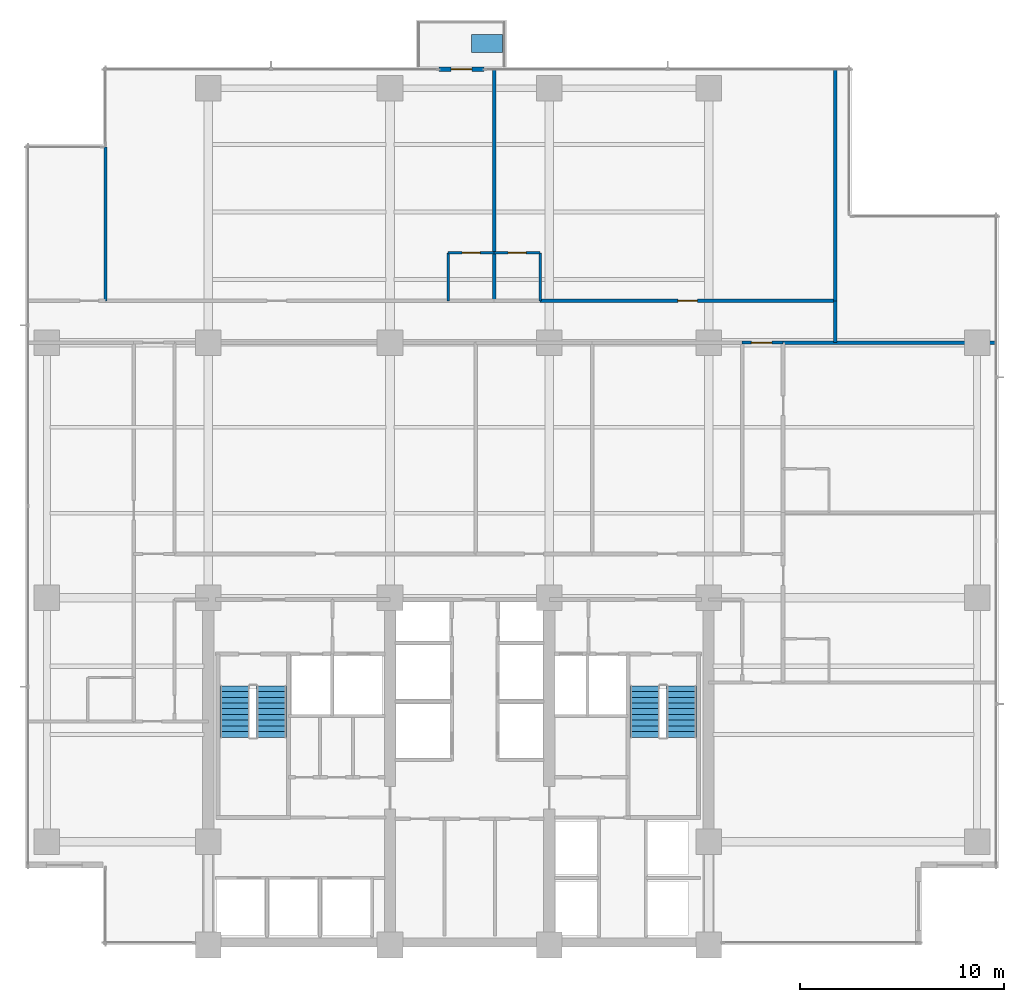
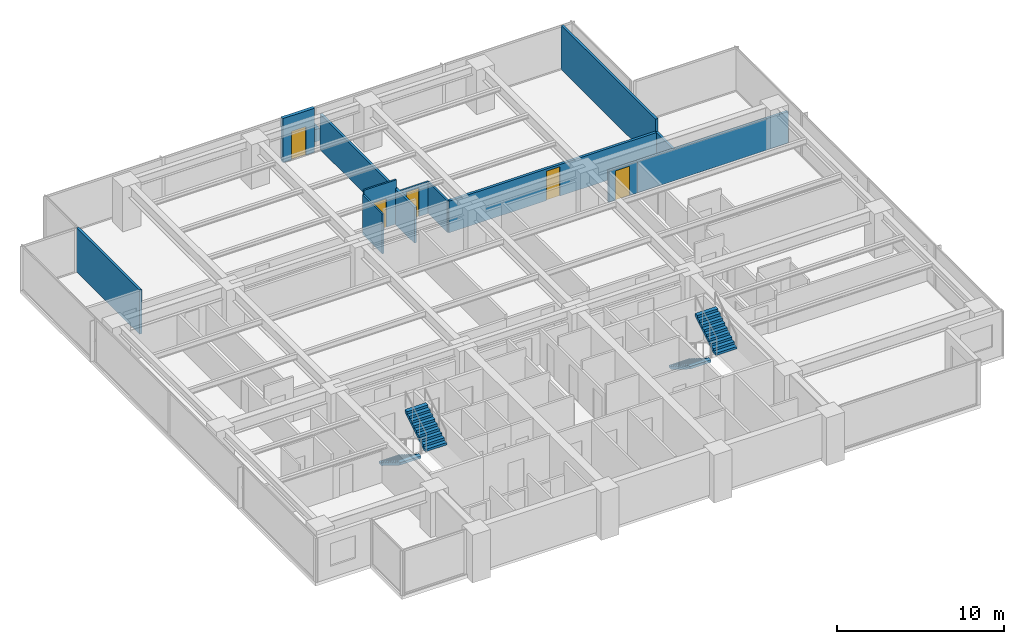
# One storey, part 11 of 16: 12 walls, 5 doors, 4 stair flights, 1 discrete accessory, 5 openings, 2 elements without a shape of their own.
"""IFC4 building model written with IfcOpenShell, lengths in metres."""

import ifcopenshell
import ifcopenshell.guid

model = None  # the IFC model being written
_history = None  # IfcOwnerHistory: only IFC2X3 demands one
_inside = {}  # id of a spatial element -> (the spatial element, [elements in it])
_under = {}  # id of a project, library or spatial element -> (it, [spatial elements below it])
_declared = {}  # id of a project -> (the project, [libraries it declares])
_typed = {}  # id of a type object -> (the type object, [elements of that type])
_made_of = {}  # id of a material, layer set ... -> (it, [elements and type objects made of it])


def new_model(schema):
    """Start an empty IFC model of exactly this schema.

    Asked for "IFC4X3", IfcOpenShell would pick the latest addendum, in which some entities
    have other attributes; the version numbers below select the first issue.
    IFC2X3 requires an IfcOwnerHistory on every rooted entity: one is made here for all.
    """
    global model, _history
    if schema == "IFC4X3":
        model = ifcopenshell.file(schema_version=(4, 3, 0, 0))
    else:
        model = ifcopenshell.file(schema=schema)
    _inside.clear()
    _under.clear()
    _declared.clear()
    _typed.clear()
    _made_of.clear()
    _history = None
    if model.schema == "IFC2X3":
        org = make("IfcOrganization", Name="unknown")
        user = make(
            "IfcPersonAndOrganization",
            ThePerson=make("IfcPerson", FamilyName="unknown"),
            TheOrganization=org,
        )
        app = make(
            "IfcApplication",
            ApplicationDeveloper=org,
            Version="unknown",
            ApplicationFullName="unknown",
            ApplicationIdentifier="unknown",
        )
        _history = make(
            "IfcOwnerHistory",
            OwningUser=user,
            OwningApplication=app,
            ChangeAction="ADDED",
            CreationDate=0,
        )
    return model


def make(cls, **values):
    """One entity of the class cls with the attributes given. An attribute that is None is left unset."""
    return model.create_entity(
        cls, **{name: value for name, value in values.items() if value is not None}
    )


def rooted(cls, **values):
    """An entity with a GlobalId (a new one), such as an element, a storey or a relation."""
    return make(cls, GlobalId=ifcopenshell.guid.new(), OwnerHistory=_history, **values)


def si_unit(unit_type, name, prefix=None):
    """IfcSIUnit, for example si_unit("LENGTHUNIT", "METRE", prefix="MILLI")."""
    return make("IfcSIUnit", UnitType=unit_type, Prefix=prefix, Name=name)


def assignment(units):
    """IfcUnitAssignment: the units of a project."""
    return None if units is None else make("IfcUnitAssignment", Units=units)


def point(xyz):
    """IfcCartesianPoint."""
    return None if xyz is None else make("IfcCartesianPoint", Coordinates=xyz)


def direction(xyz):
    """IfcDirection."""
    return None if xyz is None else make("IfcDirection", DirectionRatios=xyz)


def frame(location, z_axis=None, x_axis=None):
    """IfcAxis2Placement3D, a coordinate frame: its origin and axes. An axis left out is left unset."""
    return make(
        "IfcAxis2Placement3D",
        Location=point(location),
        Axis=direction(z_axis),
        RefDirection=direction(x_axis),
    )


def frame_2d(location, x_axis=None):
    """IfcAxis2Placement2D, a coordinate frame in the plane: its origin and x axis."""
    return make(
        "IfcAxis2Placement2D", Location=point(location), RefDirection=direction(x_axis)
    )


def origin():
    """The frame at (0, 0, 0) with its axes left unset."""
    return frame((0.0, 0.0, 0.0))


def place(relative_to, where):
    """IfcLocalPlacement: puts the frame where relative to a parent placement (None: the world)."""
    return make(
        "IfcLocalPlacement", PlacementRelTo=relative_to, RelativePlacement=where
    )


def context(
    kind, dimensions, precision=None, world=None, true_north=None, identifier=None
):
    """IfcGeometricRepresentationContext, for example the 3D "Model" context."""
    return make(
        "IfcGeometricRepresentationContext",
        ContextIdentifier=identifier,
        ContextType=kind,
        CoordinateSpaceDimension=dimensions,
        Precision=precision,
        WorldCoordinateSystem=world,
        TrueNorth=true_north,
    )


def subcontext(parent, identifier, kind, view, scale=None):
    """IfcGeometricRepresentationSubContext, for example "Body" below "Model"."""
    return make(
        "IfcGeometricRepresentationSubContext",
        ContextIdentifier=identifier,
        ContextType=kind,
        ParentContext=parent,
        TargetScale=scale,
        TargetView=view,
    )


def project(units=None, contexts=None):
    """IfcProject with its units and contexts."""
    return rooted(
        "IfcProject",
        Name="project",
        RepresentationContexts=contexts,
        UnitsInContext=assignment(units),
    )


def spatial(cls, under=None, at=None, **own):
    """A site, building, storey or space (cls), placed at a placement, below another one or the project."""
    s = rooted(cls, ObjectPlacement=at, **own)
    if under is not None:
        _under.setdefault(under.id(), (under, []))[1].append(s)
    return s


def polyline(points):
    """IfcPolyline through the points."""
    return make("IfcPolyline", Points=[point(p) for p in points])


def profile(cls, at=None, kind="AREA", **sizes):
    """A parametric profile (cls). Its sizes go by their IFC names, for example OverallWidth=200.0."""
    return make(cls, ProfileType=kind, Position=at, **sizes)


def rectangle(**sizes):
    """IfcRectangleProfileDef."""
    return profile("IfcRectangleProfileDef", **sizes)


def outline(outer, holes=None, kind="AREA"):
    """IfcArbitraryClosedProfileDef: a profile drawn as a closed curve; with holes, ...WithVoids."""
    if holes is None:
        return make("IfcArbitraryClosedProfileDef", ProfileType=kind, OuterCurve=outer)
    return make(
        "IfcArbitraryProfileDefWithVoids",
        ProfileType=kind,
        OuterCurve=outer,
        InnerCurves=holes,
    )


def extrude(swept, where, along, depth):
    """IfcExtrudedAreaSolid: the profile swept, set in the frame where, extruded along a direction by depth."""
    return make(
        "IfcExtrudedAreaSolid",
        SweptArea=swept,
        Position=where,
        ExtrudedDirection=direction(along),
        Depth=depth,
    )


def shape(context_of_items, identifier, shape_type, items):
    """IfcShapeRepresentation: the items that make up one representation, for example the "Body"."""
    return make(
        "IfcShapeRepresentation",
        ContextOfItems=context_of_items,
        RepresentationIdentifier=identifier,
        RepresentationType=shape_type,
        Items=items,
    )


def material(Name=None, Category=None):
    """IfcMaterial."""
    return make("IfcMaterial", Name=Name, Category=Category)


def layer(
    of_material, thickness, ventilated=None, Name=None, Category=None, Priority=None
):
    """IfcMaterialLayer: one layer of a wall or slab, of a material (None: an air gap)."""
    return make(
        "IfcMaterialLayer",
        Material=of_material,
        LayerThickness=thickness,
        IsVentilated=ventilated,
        Name=Name,
        Category=Category,
        Priority=Priority,
    )


def layer_set(layers, Name=None):
    """IfcMaterialLayerSet."""
    return make("IfcMaterialLayerSet", MaterialLayers=layers, LayerSetName=Name)


def made_of(thing, what):
    """Note that an element or type object is made of a material, layer set ...; save() writes the relation."""
    if what is not None:
        _made_of.setdefault(what.id(), (what, []))[1].append(thing)
    return thing


def type_object(cls, material=None, **own):
    """A type object (cls), such as IfcWallType, which elements share."""
    return made_of(rooted(cls, **own), material)


def element(
    cls,
    number,
    at=None,
    inside=None,
    cuts=None,
    type_object=None,
    material=None,
    context=None,
    identifier="Body",
    shape_type=None,
    held_by="IfcProductDefinitionShape",
    body=None,
    shapes=None,
    **own,
):
    """One element of the class cls, such as IfcWall. Its Tag is "e" and its number.

    at: its placement. inside: the storey or other place that contains it. cuts: it is an
    opening in that element (IfcRelVoidsElement). A single representation is given by context,
    identifier, shape_type and body (its items); several are given by shapes. held_by: the class
    of the entity that holds the representations. save() writes the other relations.
    """
    e = rooted(cls, Tag="e%d" % number, ObjectPlacement=at, **own)
    if body is not None:
        shapes = [shape(context, identifier, shape_type, body)]
    if shapes is not None:
        e.Representation = make(held_by, Representations=shapes)
    if inside is not None:
        _inside.setdefault(inside.id(), (inside, []))[1].append(e)
    if cuts is not None:
        rooted(
            "IfcRelVoidsElement", RelatingBuildingElement=cuts, RelatedOpeningElement=e
        )
    if type_object is not None:
        _typed.setdefault(type_object.id(), (type_object, []))[1].append(e)
    return made_of(e, material)


def fill(opening, filler):
    """IfcRelFillsElement: the door or window that sits in an opening."""
    return rooted(
        "IfcRelFillsElement",
        RelatingOpeningElement=opening,
        RelatedBuildingElement=filler,
    )


def aggregate(whole, parts):
    """IfcRelAggregates: a whole, such as a stair, and the parts it consists of."""
    return rooted("IfcRelAggregates", RelatingObject=whole, RelatedObjects=parts)


def save(model, path):
    """Write the relations noted so far, then the file.

    IfcRelAggregates (storeys below a building ...), IfcRelContainedInSpatialStructure (elements
    in a storey), IfcRelDefinesByType, IfcRelAssociatesMaterial and IfcRelDeclares: one each for
    every whole, place, type object, material and project.
    """
    for whole, parts in _under.values():
        aggregate(whole, parts)
    for where, things in _inside.values():
        rooted(
            "IfcRelContainedInSpatialStructure",
            RelatedElements=things,
            RelatingStructure=where,
        )
    for kind, things in _typed.values():
        rooted("IfcRelDefinesByType", RelatedObjects=things, RelatingType=kind)
    for what, things in _made_of.values():
        rooted("IfcRelAssociatesMaterial", RelatedObjects=things, RelatingMaterial=what)
    for by, libraries in _declared.values():
        rooted("IfcRelDeclares", RelatingContext=by, RelatedDefinitions=libraries)
    model.write(path)


model = new_model("IFC4")

# Units and contexts
model_context = context("Model", 3, precision=1e-05, world=origin(), true_north=direction((0.0, 1.0)))
body_context = subcontext(model_context, "Body", "Model", "MODEL_VIEW")
ifc_project = project(units=[si_unit("LENGTHUNIT", "METRE"), si_unit("AREAUNIT", "SQUARE_METRE"), si_unit("VOLUMEUNIT", "CUBIC_METRE"), si_unit("PLANEANGLEUNIT", "RADIAN"), si_unit("MASSUNIT", "GRAM", prefix="KILO")], contexts=[model_context])

# Site, building, storey
site_placement = place(None, origin())
site = spatial("IfcSite", under=ifc_project, at=site_placement, CompositionType="ELEMENT")
building_placement = place(site_placement, origin())
building = spatial("IfcBuilding", under=site, at=building_placement, Name="Qalmaran Belvedere Hotel", CompositionType="ELEMENT")
storey_placement = place(building_placement, frame((0.0, 0.0, 123.199951171875)))
storey = spatial("IfcBuildingStorey", under=building, at=storey_placement, Name="L31", CompositionType="ELEMENT", Elevation=123.199951171875)

# Wall, opening, door
ifc_material_1 = material(Name="Anodised Bronze Cladding")
ifc_layer_1 = layer(ifc_material_1, 0.22509765625, Name="Anodised Bronze Cladding")
ifc_layer_set_1 = layer_set([ifc_layer_1], Name="Anodised Bronze Cladding")
wall_type_1 = type_object("IfcWallType", Name="WL-BAL-PORT-225", PredefinedType="SOLIDWALL", material=ifc_layer_set_1)
wall_1_placement = place(storey_placement, frame((31.60009765625, 46.3798828125, 0.0), z_axis=(0.0, 0.0, 1.0), x_axis=(1.0, 0.0, 0.0)))
wall_1 = element("IfcWall", 1, at=wall_1_placement, inside=storey, type_object=wall_type_1, Name="L31 Tree Balcony Door Portal", PredefinedType="SOLIDWALL", context=body_context, shape_type="SweptSolid", body=[
    extrude(rectangle(XDim=2.199951171875, YDim=0.22509765625, at=frame_2d((1.10009765625, 0.0))), origin(), (0.0, 0.0, 1.0), 3.239990234375),
])
opening_1_placement = place(wall_1_placement, frame((0.590087890625, 0.0, 0.0)))
opening_1 = element("IfcOpeningElement", 2, at=opening_1_placement, cuts=wall_1, Name="Opening BL-102", PredefinedType="OPENING", context=body_context, shape_type="SweptSolid", body=[
    extrude(rectangle(XDim=1.02001953125, YDim=2.10009765625, at=frame_2d((0.510009765625, 1.050048828125))), frame((0.0, 0.12255859375, 0.0), z_axis=(0.0, -1.0, 0.0), x_axis=(1.0, 0.0, 0.0)), (0.0, 0.0, 1.0), 0.2451171875),
])
ifc_material_2 = material(Name="Anodised Bronze Aluminium", Category="aluminium")
door_type_1 = type_object("IfcDoorType", Name="DR-BAL-1020X2100", OperationType="NOTDEFINED", PredefinedType="DOOR", material=ifc_material_2)
door_1_placement = place(opening_1_placement, origin())
door_1 = element("IfcDoor", 3, at=door_1_placement, inside=storey, type_object=door_type_1, Name="L31 Planted Tree Balcony Door", OperationType="SINGLE_SWING_RIGHT", OverallHeight=2.10009765625, OverallWidth=1.02001953125, PredefinedType="DOOR", context=body_context, shape_type="SweptSolid", body=[
    extrude(rectangle(XDim=1.02001953125, YDim=2.10009765625, at=frame_2d((0.510009765625, 1.050048828125))), frame((0.0, 0.02490234375, 0.0), z_axis=(0.0, -1.0, 0.0), x_axis=(1.0, 0.0, 0.0)), (0.0, 0.0, 1.0), 0.050048828125),
])
fill(opening_1, door_1)

ifc_material_3 = material(Name="Moisture-Resistant Gypsum")
ifc_layer_2 = layer(ifc_material_3, 0.1201171875, Name="Moisture-Resistant Gypsum")
ifc_layer_set_2 = layer_set([ifc_layer_2], Name="Moisture-Resistant Gypsum")
wall_type_2 = type_object("IfcWallType", Name="WL-INT-120-BATH", PredefinedType="PARTITIONING", material=ifc_layer_set_2)
wall_2_placement = place(storey_placement, frame((32.050048828125, 37.39990234375, 0.0), z_axis=(0.0, 0.0, 1.0), x_axis=(1.0, 0.0, 0.0)))
wall_2 = element("IfcWall", 4, at=wall_2_placement, inside=storey, type_object=wall_type_2, Name="L31 Partition WL-L31-NBN00", PredefinedType="PARTITIONING", context=body_context, shape_type="SweptSolid", body=[
    extrude(rectangle(XDim=2.25, YDim=0.1201171875, at=frame_2d((1.125, 0.0))), origin(), (0.0, 0.0, 1.0), 3.239990234375),
])
opening_2_placement = place(wall_2_placement, frame((1.56494140625, 0.0, 0.0), z_axis=(0.0, 0.0, 1.0), x_axis=(-1.0, 0.0, 0.0)))
opening_2 = element("IfcOpeningElement", 5, at=opening_2_placement, cuts=wall_2, Name="Opening D-BATH", PredefinedType="OPENING", context=body_context, shape_type="SweptSolid", body=[
    extrude(rectangle(XDim=0.8798828125, YDim=2.080078125, at=frame_2d((0.43994140625, 1.0400390625))), frame((0.0, 0.070068359375, 0.0), z_axis=(0.0, -1.0, 0.0), x_axis=(1.0, 0.0, 0.0)), (0.0, 0.0, 1.0), 0.14013671875),
])
ifc_material_4 = material(Name="Engineered Oak Veneer")
door_type_2 = type_object("IfcDoorType", Name="DR-INT-BATH-880X2080", OperationType="NOTDEFINED", PredefinedType="DOOR", material=ifc_material_4)
door_2_placement = place(opening_2_placement, origin())
door_2 = element("IfcDoor", 6, at=door_2_placement, inside=storey, type_object=door_type_2, Name="L31 Ensuite Bathroom Door N01", OperationType="SINGLE_SWING_RIGHT", OverallHeight=2.080078125, OverallWidth=0.8798828125, PredefinedType="DOOR", context=body_context, shape_type="SweptSolid", body=[
    extrude(rectangle(XDim=0.8798828125, YDim=2.080078125, at=frame_2d((0.43994140625, 1.0400390625))), frame((0.0, 0.02490234375, 0.0), z_axis=(0.0, -1.0, 0.0), x_axis=(1.0, 0.0, 0.0)), (0.0, 0.0, 1.0), 0.050048828125),
])
fill(opening_2, door_2)

# Wall
wall_3_placement = place(storey_placement, frame((32.050048828125, 35.050048828125, 0.0), z_axis=(0.0, 0.0, 1.0), x_axis=(0.0, 1.0, 0.0)))
element("IfcWall", 7, at=wall_3_placement, inside=storey, type_object=wall_type_2, Name="L31 Partition WL-L31-NBS00", PredefinedType="PARTITIONING", context=body_context, shape_type="SweptSolid", body=[
    extrude(rectangle(XDim=2.349853515625, YDim=0.1201171875, at=frame_2d((1.1748046875, 0.0))), origin(), (0.0, 0.0, 1.0), 2.922119140625),
])

# Wall, opening, door
wall_4_placement = place(storey_placement, frame((34.300048828125, 37.39990234375, 0.0), z_axis=(0.0, 0.0, 1.0), x_axis=(1.0, 0.0, 0.0)))
wall_4 = element("IfcWall", 8, at=wall_4_placement, inside=storey, type_object=wall_type_2, Name="L31 Partition WL-L31-NBN01", PredefinedType="PARTITIONING", context=body_context, shape_type="SweptSolid", body=[
    extrude(rectangle(XDim=2.25, YDim=0.1201171875, at=frame_2d((1.125, 0.0))), origin(), (0.0, 0.0, 1.0), 2.31298828125),
])
opening_3_placement = place(wall_4_placement, frame((1.56494140625, 0.0, 0.0), z_axis=(0.0, 0.0, 1.0), x_axis=(-1.0, 0.0, 0.0)))
opening_3 = element("IfcOpeningElement", 9, at=opening_3_placement, cuts=wall_4, Name="Opening D-BATH", PredefinedType="OPENING", context=body_context, shape_type="SweptSolid", body=[
    extrude(rectangle(XDim=0.8798828125, YDim=2.080078125, at=frame_2d((0.43994140625, 1.0400390625))), frame((0.0, 0.070068359375, 0.0), z_axis=(0.0, -1.0, 0.0), x_axis=(1.0, 0.0, 0.0)), (0.0, 0.0, 1.0), 0.14013671875),
])
door_3_placement = place(opening_3_placement, origin())
door_3 = element("IfcDoor", 10, at=door_3_placement, inside=storey, type_object=door_type_2, Name="L31 Ensuite Bathroom Door N02", OperationType="SINGLE_SWING_RIGHT", OverallHeight=2.080078125, OverallWidth=0.8798828125, PredefinedType="DOOR", context=body_context, shape_type="SweptSolid", body=[
    extrude(rectangle(XDim=0.8798828125, YDim=2.080078125, at=frame_2d((0.43994140625, 1.0400390625))), frame((0.0, 0.02490234375, 0.0), z_axis=(0.0, -1.0, 0.0), x_axis=(1.0, 0.0, 0.0)), (0.0, 0.0, 1.0), 0.050048828125),
])
fill(opening_3, door_3)

# Wall
wall_5_placement = place(storey_placement, frame((36.550048828125, 35.050048828125, 0.0), z_axis=(0.0, 0.0, 1.0), x_axis=(0.0, 1.0, 0.0)))
element("IfcWall", 11, at=wall_5_placement, inside=storey, type_object=wall_type_2, Name="L31 Partition WL-L31-NBS01", PredefinedType="PARTITIONING", context=body_context, shape_type="SweptSolid", body=[
    extrude(rectangle(XDim=2.349853515625, YDim=0.1201171875, at=frame_2d((1.1748046875, 0.0))), origin(), (0.0, 0.0, 1.0), 2.31298828125),
])

# Wall, opening, door
ifc_material_5 = material(Name="Gypsum Stud Partition")
ifc_layer_3 = layer(ifc_material_5, 0.14990234375, Name="Gypsum Stud Partition")
ifc_layer_set_3 = layer_set([ifc_layer_3], Name="Gypsum Stud Partition")
wall_type_3 = type_object("IfcWallType", Name="WL-INT-150-EI60", PredefinedType="PARTITIONING", material=ifc_layer_set_3)
wall_6_placement = place(storey_placement, frame((46.449951171875, 33.0, 0.0), z_axis=(0.0, 0.0, 1.0), x_axis=(1.0, 0.0, 0.0)))
wall_6 = element("IfcWall", 12, at=wall_6_placement, inside=storey, type_object=wall_type_3, Name="L31 Partition WL-L31-XCE2", PredefinedType="PARTITIONING", context=body_context, shape_type="SweptSolid", body=[
    extrude(rectangle(XDim=2.0, YDim=0.14990234375, at=frame_2d((1.0, 0.0))), origin(), (0.0, 0.0, 1.0), 2.31298828125),
])
opening_4_placement = place(wall_6_placement, frame((0.449951171875, 0.0, 0.0)))
opening_4 = element("IfcOpeningElement", 13, at=opening_4_placement, cuts=wall_6, Name="Opening FD90B", PredefinedType="OPENING", context=body_context, shape_type="SweptSolid", body=[
    extrude(rectangle(XDim=1.0, YDim=2.14990234375, at=frame_2d((0.5, 1.074951171875))), frame((0.0, 0.0849609375, 0.0), z_axis=(0.0, -1.0, 0.0), x_axis=(1.0, 0.0, 0.0)), (0.0, 0.0, 1.0), 0.169921875),
])
ifc_material_6 = material(Name="Steel S355JR", Category="steel")
door_type_3 = type_object("IfcDoorType", Name="DR-FD90B-1000X2150", OperationType="NOTDEFINED", PredefinedType="DOOR", material=ifc_material_6)
door_4_placement = place(opening_4_placement, origin())
door_4 = element("IfcDoor", 14, at=door_4_placement, inside=storey, type_object=door_type_3, Name="L31 East Corridor Smoke Door N", OperationType="SINGLE_SWING_RIGHT", OverallHeight=2.14990234375, OverallWidth=1.0, PredefinedType="DOOR", context=body_context, shape_type="SweptSolid", body=[
    extrude(rectangle(XDim=1.0, YDim=2.14990234375, at=frame_2d((0.5, 1.074951171875))), frame((0.0, 0.02490234375, 0.0), z_axis=(0.0, -1.0, 0.0), x_axis=(1.0, 0.0, 0.0)), (0.0, 0.0, 1.0), 0.050048828125),
])
fill(opening_4, door_4)

# Walls
ifc_layer_4 = layer(ifc_material_5, 0.159912109375, Name="Gypsum Stud Partition")
ifc_layer_set_4 = layer_set([ifc_layer_4], Name="Gypsum Stud Partition")
wall_type_4 = type_object("IfcWallType", Name="WL-INT-160-EI60", PredefinedType="PARTITIONING", material=ifc_layer_set_4)
wall_7_placement = place(storey_placement, frame((51.0, 33.0, 0.0), z_axis=(0.0, 0.0, 1.0), x_axis=(0.0, 1.0, 0.0)))
element("IfcWall", 15, at=wall_7_placement, inside=storey, type_object=wall_type_4, Name="L31 Partition WL-L31-NCGE", PredefinedType="PARTITIONING", context=body_context, shape_type="SweptSolid", body=[
    extrude(rectangle(XDim=2.050048828125, YDim=0.159912109375, at=frame_2d((1.02490234375, 0.0))), origin(), (0.0, 0.0, 1.0), 2.31298828125),
])
wall_8_placement = place(storey_placement, frame((15.27001953125, 35.050048828125, 0.0), z_axis=(0.0, 0.0, 1.0), x_axis=(0.0, 1.0, 0.0)))
element("IfcWall", 16, at=wall_8_placement, inside=storey, type_object=wall_type_4, Name="L31 Partition WL-L31-NUL", PredefinedType="PARTITIONING", context=body_context, shape_type="SweptSolid", body=[
    extrude(rectangle(XDim=7.530029296875, YDim=0.159912109375, at=frame_2d((3.76513671875, 0.0))), origin(), (0.0, 0.0, 1.0), 3.239990234375),
])
wall_9_placement = place(storey_placement, frame((34.300048828125, 35.050048828125, 0.0), z_axis=(0.0, 0.0, 1.0), x_axis=(0.0, 1.0, 0.0)))
element("IfcWall", 17, at=wall_9_placement, inside=storey, type_object=wall_type_4, Name="L31 Partition WL-L31-NUR00", PredefinedType="PARTITIONING", context=body_context, shape_type="SweptSolid", body=[
    extrude(rectangle(XDim=11.329833984375, YDim=0.159912109375, at=frame_2d((5.6650390625, 0.0))), origin(), (0.0, 0.0, 1.0), 2.60302734375),
])
wall_10_placement = place(storey_placement, frame((51.0, 35.050048828125, 0.0), z_axis=(0.0, 0.0, 1.0), x_axis=(0.0, 1.0, 0.0)))
element("IfcWall", 18, at=wall_10_placement, inside=storey, type_object=wall_type_4, Name="L31 Partition WL-L31-NUR01", PredefinedType="PARTITIONING", context=body_context, shape_type="SweptSolid", body=[
    extrude(rectangle(XDim=11.329833984375, YDim=0.159912109375, at=frame_2d((5.6650390625, 0.0))), origin(), (0.0, 0.0, 1.0), 3.239990234375),
])
wall_11_placement = place(storey_placement, frame((48.449951171875, 33.0, 0.0), z_axis=(0.0, 0.0, 1.0), x_axis=(1.0, 0.0, 0.0)))
element("IfcWall", 19, at=wall_11_placement, inside=storey, type_object=wall_type_4, Name="L31 Partition WL-L31-EU01", PredefinedType="PARTITIONING", context=body_context, shape_type="SweptSolid", body=[
    extrude(rectangle(XDim=10.429931640625, YDim=0.159912109375, at=frame_2d((5.21484375, 0.0))), origin(), (0.0, 0.0, 1.0), 2.31298828125),
])

# Wall, opening, door
ifc_layer_5 = layer(ifc_material_5, 0.179931640625, Name="Gypsum Stud Partition")
ifc_layer_set_5 = layer_set([ifc_layer_5], Name="Gypsum Stud Partition")
wall_type_5 = type_object("IfcWallType", Name="WL-INT-180-EI60", PredefinedType="PARTITIONING", material=ifc_layer_set_5)
wall_12_placement = place(storey_placement, frame((36.550048828125, 35.050048828125, 0.0), z_axis=(0.0, 0.0, 1.0), x_axis=(1.0, 0.0, 0.0)))
wall_12 = element("IfcWall", 20, at=wall_12_placement, inside=storey, type_object=wall_type_5, Name="L31 Partition WL-L31-NEC01", PredefinedType="PARTITIONING", context=body_context, shape_type="SweptSolid", body=[
    extrude(rectangle(XDim=14.449951171875, YDim=0.179931640625, at=frame_2d((7.22509765625, 0.0))), origin(), (0.0, 0.0, 1.0), 2.31298828125),
])
opening_5_placement = place(wall_12_placement, frame((6.75, 0.0, 0.0)))
opening_5 = element("IfcOpeningElement", 21, at=opening_5_placement, cuts=wall_12, Name="Opening FD60", PredefinedType="OPENING", context=body_context, shape_type="SweptSolid", body=[
    extrude(rectangle(XDim=0.949951171875, YDim=2.14990234375, at=frame_2d((0.47509765625, 1.074951171875))), frame((0.0, 0.10009765625, 0.0), z_axis=(0.0, -1.0, 0.0), x_axis=(1.0, 0.0, 0.0)), (0.0, 0.0, 1.0), 0.199951171875),
])
door_type_4 = type_object("IfcDoorType", Name="DR-FD60-950X2150", OperationType="NOTDEFINED", PredefinedType="DOOR", material=ifc_material_4)
door_5_placement = place(opening_5_placement, origin())
door_5 = element("IfcDoor", 22, at=door_5_placement, inside=storey, type_object=door_type_4, Name="L31 Guest Entrance Door N02", OperationType="SINGLE_SWING_LEFT", OverallHeight=2.14990234375, OverallWidth=0.949951171875, PredefinedType="DOOR", context=body_context, shape_type="SweptSolid", body=[
    extrude(rectangle(XDim=0.949951171875, YDim=2.14990234375, at=frame_2d((0.47509765625, 1.074951171875))), frame((0.0, 0.02490234375, 0.0), z_axis=(0.0, -1.0, 0.0), x_axis=(1.0, 0.0, 0.0)), (0.0, 0.0, 1.0), 0.050048828125),
])
fill(opening_5, door_5)

# Stair, stair flights
ifc_material_7 = material(Name="Concrete C40/50", Category="concrete")
stair_type_1 = type_object("IfcStairType", Name="STR-ST-1-1450-R1750", PredefinedType="HALF_TURN_STAIR", material=ifc_material_7)
stair_1_placement = place(storey_placement, origin())
stair_1 = element("IfcStair", 23, at=stair_1_placement, inside=storey, type_object=stair_type_1, Name="L31 West Core Exit Stair ST-1", PredefinedType="HALF_TURN_STAIR")
ifc_layer_6 = layer(ifc_material_7, 0.14990234375, Name="Concrete C40/50")
ifc_layer_set_6 = layer_set([ifc_layer_6], Name="Concrete C40/50")
stair_flight_type_1 = type_object("IfcStairFlightType", Name="STF-ST-1-1450-R1750", PredefinedType="STRAIGHT", material=ifc_layer_set_6)
stair_flight_1_placement = place(storey_placement, frame((21.60498046875, 16.18994140625, 0.0), z_axis=(0.0, 0.0, 1.0), x_axis=(0.0, -1.0, 0.0)))
stair_flight_1 = element("IfcStairFlight", 24, at=stair_flight_1_placement, type_object=stair_flight_type_1, Name="ST-1 flight 1", NumberOfRisers=10, NumberOfTreads=9, PredefinedType="STRAIGHT", RiserHeight=0.175, TreadLength=0.28, context=body_context, shape_type="SweptSolid", body=[
    extrude(outline(polyline([(0.0, 0.0), (0.0, 0.175048828125), (0.280029296875, 0.175048828125), (0.280029296875, 0.35009765625), (0.56005859375, 0.35009765625), (0.56005859375, 0.52490234375), (0.840087890625, 0.52490234375), (0.840087890625, 0.699951171875), (1.1201171875, 0.699951171875), (1.1201171875, 0.875), (1.39990234375, 0.875), (1.39990234375, 1.050048828125), (1.679931640625, 1.050048828125), (1.679931640625, 1.22509765625), (1.9599609375, 1.22509765625), (1.9599609375, 1.39990234375), (2.239990234375, 1.39990234375), (2.239990234375, 1.574951171875), (2.52001953125, 1.574951171875), (2.52001953125, 1.75), (2.52001953125, 1.398193359375), (0.28271484375, 0.0), (0.0, 0.0)])), frame((0.0, 0.72509765625, 0.0), z_axis=(0.0, -1.0, 0.0), x_axis=(1.0, 0.0, 0.0)), (0.0, 0.0, 1.0), 1.449951171875),
])
stair_flight_2_placement = place(storey_placement, frame((23.39501953125, 13.669921875, 1.75), z_axis=(0.0, 0.0, 1.0), x_axis=(0.0, 1.0, 0.0)))
stair_flight_2 = element("IfcStairFlight", 25, at=stair_flight_2_placement, type_object=stair_flight_type_1, Name="ST-1 flight 2", NumberOfRisers=10, NumberOfTreads=9, PredefinedType="STRAIGHT", RiserHeight=0.175, TreadLength=0.28, context=body_context, shape_type="SweptSolid", body=[
    extrude(outline(polyline([(0.0, 0.0), (0.0, 0.175048828125), (0.280029296875, 0.175048828125), (0.280029296875, 0.35009765625), (0.56005859375, 0.35009765625), (0.56005859375, 0.52490234375), (0.840087890625, 0.52490234375), (0.840087890625, 0.699951171875), (1.1201171875, 0.699951171875), (1.1201171875, 0.875), (1.39990234375, 0.875), (1.39990234375, 1.050048828125), (1.679931640625, 1.050048828125), (1.679931640625, 1.22509765625), (1.9599609375, 1.22509765625), (1.9599609375, 1.39990234375), (2.239990234375, 1.39990234375), (2.239990234375, 1.574951171875), (2.52001953125, 1.574951171875), (2.52001953125, 1.75), (2.52001953125, 1.398193359375), (0.28271484375, 0.0), (0.0, 0.0)])), frame((0.0, 0.72509765625, 0.0), z_axis=(0.0, -1.0, 0.0), x_axis=(1.0, 0.0, 0.0)), (0.0, 0.0, 1.0), 1.449951171875),
])
aggregate(stair_1, [stair_flight_1, stair_flight_2])

stair_type_2 = type_object("IfcStairType", Name="STR-ST-2-1450-R1750", PredefinedType="HALF_TURN_STAIR", material=ifc_material_7)
stair_2_placement = place(storey_placement, origin())
stair_2 = element("IfcStair", 26, at=stair_2_placement, inside=storey, type_object=stair_type_2, Name="L31 East Core Exit Stair ST-2", PredefinedType="HALF_TURN_STAIR")
ifc_layer_7 = layer(ifc_material_7, 0.14990234375, Name="Concrete C40/50")
ifc_layer_set_7 = layer_set([ifc_layer_7], Name="Concrete C40/50")
stair_flight_type_2 = type_object("IfcStairFlightType", Name="STF-ST-2-1450-R1750", PredefinedType="STRAIGHT", material=ifc_layer_set_7)
stair_flight_3_placement = place(storey_placement, frame((41.68505859375, 16.18994140625, 0.0), z_axis=(0.0, 0.0, 1.0), x_axis=(0.0, -1.0, 0.0)))
stair_flight_3 = element("IfcStairFlight", 27, at=stair_flight_3_placement, type_object=stair_flight_type_2, Name="ST-2 flight 1", NumberOfRisers=10, NumberOfTreads=9, PredefinedType="STRAIGHT", RiserHeight=0.175, TreadLength=0.28, context=body_context, shape_type="SweptSolid", body=[
    extrude(outline(polyline([(0.0, 0.0), (0.0, 0.175048828125), (0.280029296875, 0.175048828125), (0.280029296875, 0.35009765625), (0.56005859375, 0.35009765625), (0.56005859375, 0.52490234375), (0.840087890625, 0.52490234375), (0.840087890625, 0.699951171875), (1.1201171875, 0.699951171875), (1.1201171875, 0.875), (1.39990234375, 0.875), (1.39990234375, 1.050048828125), (1.679931640625, 1.050048828125), (1.679931640625, 1.22509765625), (1.9599609375, 1.22509765625), (1.9599609375, 1.39990234375), (2.239990234375, 1.39990234375), (2.239990234375, 1.574951171875), (2.52001953125, 1.574951171875), (2.52001953125, 1.75), (2.52001953125, 1.398193359375), (0.28271484375, 0.0), (0.0, 0.0)])), frame((0.0, 0.72509765625, 0.0), z_axis=(0.0, -1.0, 0.0), x_axis=(1.0, 0.0, 0.0)), (0.0, 0.0, 1.0), 1.449951171875),
])
stair_flight_4_placement = place(storey_placement, frame((43.47509765625, 13.669921875, 1.75), z_axis=(0.0, 0.0, 1.0), x_axis=(0.0, 1.0, 0.0)))
stair_flight_4 = element("IfcStairFlight", 28, at=stair_flight_4_placement, type_object=stair_flight_type_2, Name="ST-2 flight 2", NumberOfRisers=10, NumberOfTreads=9, PredefinedType="STRAIGHT", RiserHeight=0.175, TreadLength=0.28, context=body_context, shape_type="SweptSolid", body=[
    extrude(outline(polyline([(0.0, 0.0), (0.0, 0.175048828125), (0.280029296875, 0.175048828125), (0.280029296875, 0.35009765625), (0.56005859375, 0.35009765625), (0.56005859375, 0.52490234375), (0.840087890625, 0.52490234375), (0.840087890625, 0.699951171875), (1.1201171875, 0.699951171875), (1.1201171875, 0.875), (1.39990234375, 0.875), (1.39990234375, 1.050048828125), (1.679931640625, 1.050048828125), (1.679931640625, 1.22509765625), (1.9599609375, 1.22509765625), (1.9599609375, 1.39990234375), (2.239990234375, 1.39990234375), (2.239990234375, 1.574951171875), (2.52001953125, 1.574951171875), (2.52001953125, 1.75), (2.52001953125, 1.398193359375), (0.28271484375, 0.0), (0.0, 0.0)])), frame((0.0, 0.72509765625, 0.0), z_axis=(0.0, -1.0, 0.0), x_axis=(1.0, 0.0, 0.0)), (0.0, 0.0, 1.0), 1.449951171875),
])
aggregate(stair_2, [stair_flight_3, stair_flight_4])

# Discrete accessory
discrete_accessory_type = type_object("IfcDiscreteAccessoryType", Name="PLN-BAL-1500", PredefinedType="USERDEFINED", material=ifc_material_7)
discrete_accessory_placement = place(storey_placement, origin())
element("IfcDiscreteAccessory", 29, at=discrete_accessory_placement, inside=storey, type_object=discrete_accessory_type, Name="L31 Sky Tree Planter", ObjectType="PLANTER", PredefinedType="USERDEFINED", context=body_context, shape_type="SweptSolid", body=[
    extrude(outline(polyline([(33.199951171875, 47.199951171875), (34.699951171875, 47.199951171875), (34.699951171875, 48.10009765625), (33.199951171875, 48.10009765625), (33.199951171875, 47.199951171875)])), origin(), (0.0, 0.0, 1.0), 0.900146484375),
])

save(model, "model.ifc")
